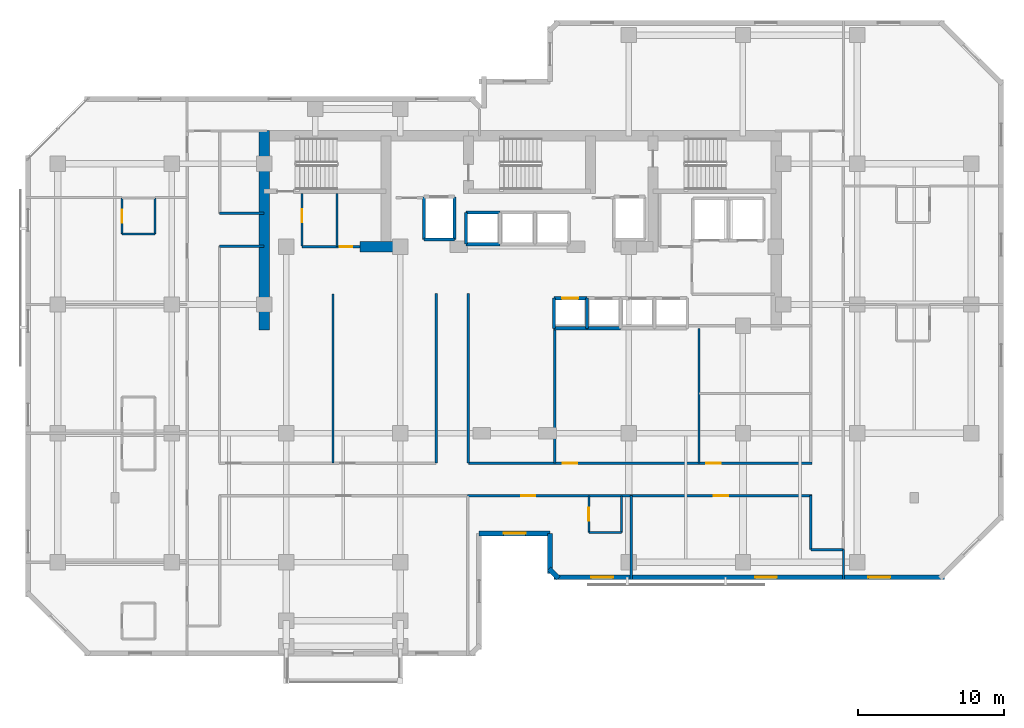
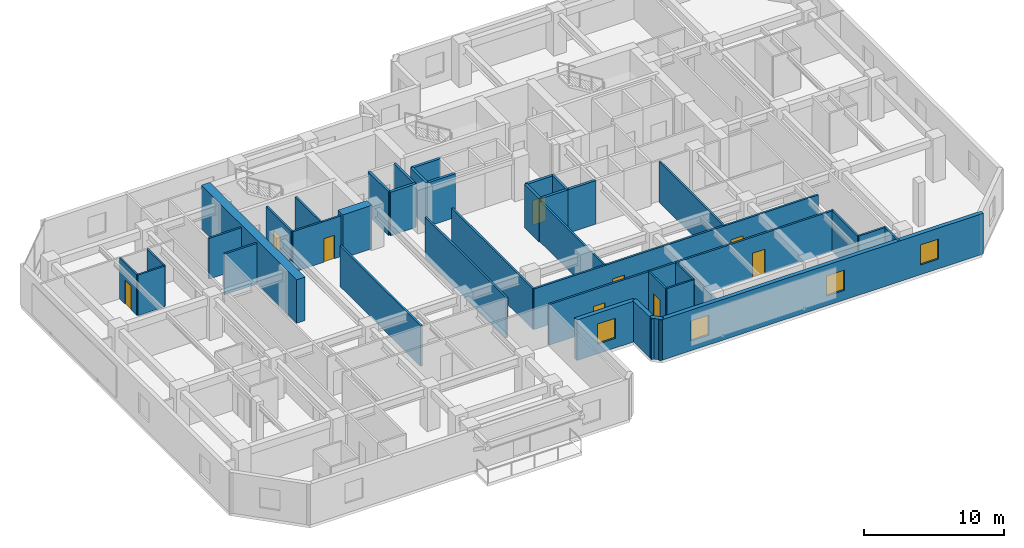
# One storey, part 6 of 11: 39 walls, 9 doors, 4 windows, 13 openings.
"""IFC4 building model written with IfcOpenShell, lengths in metres."""

from ifc_helpers import new_model, si_unit, direction, frame, frame_2d, origin, place, context, subcontext, project, spatial, rectangle, extrude, material, layer, layer_set, type_object, element, fill, save


model = new_model("IFC4")

# Units and contexts
model_context = context("Model", 3, precision=1e-05, world=origin(), true_north=direction((0.0, 1.0)))
body_context = subcontext(model_context, "Body", "Model", "MODEL_VIEW")
ifc_project = project(units=[si_unit("LENGTHUNIT", "METRE"), si_unit("AREAUNIT", "SQUARE_METRE"), si_unit("VOLUMEUNIT", "CUBIC_METRE"), si_unit("PLANEANGLEUNIT", "RADIAN"), si_unit("MASSUNIT", "GRAM", prefix="KILO")], contexts=[model_context])

# Site, building, storey
site_placement = place(None, origin())
site = spatial("IfcSite", under=ifc_project, at=site_placement, CompositionType="ELEMENT")
building_placement = place(site_placement, origin())
building = spatial("IfcBuilding", under=site, at=building_placement, Name="Kestravale Grand Hotel", CompositionType="ELEMENT")
storey_placement = place(building_placement, frame((0.0, 0.0, 165.0)))
storey = spatial("IfcBuildingStorey", under=building, at=storey_placement, Name="L41", CompositionType="ELEMENT", Elevation=165.0)

# Walls
ifc_material_1 = material(Name="Concrete f'c 60 MPa", Category="concrete")
ifc_layer_1 = layer(ifc_material_1, 0.699951171875)
ifc_layer_set_1 = layer_set([ifc_layer_1], Name="EW-CORE-700")
wall_type_1 = type_object("IfcWallType", Name="EW-CORE-700", PredefinedType="SHEAR", material=ifc_layer_set_1)
wall_1_placement = place(storey_placement, frame((21.89990234375, 27.050048828125, 0.0), z_axis=(0.0, 0.0, 1.0), x_axis=(0.0, 1.0, 0.0)))
element("IfcWall", 1, at=wall_1_placement, inside=storey, type_object=wall_type_1, Name="L41 core shear wall W1", PredefinedType="SHEAR", context=body_context, shape_type="SweptSolid", body=[
    extrude(rectangle(XDim=13.619873046875, YDim=0.699951171875, at=frame_2d((6.81005859375, 0.0))), origin(), (0.0, 0.0, 1.0), 3.800048828125),
])
wall_2_placement = place(storey_placement, frame((28.449951171875, 32.75, 0.0), z_axis=(0.0, 0.0, 1.0), x_axis=(1.0, 0.0, 0.0)))
element("IfcWall", 2, at=wall_2_placement, inside=storey, type_object=wall_type_1, Name="L41 core shear wall S1", PredefinedType="SHEAR", context=body_context, shape_type="SweptSolid", body=[
    extrude(rectangle(XDim=2.400146484375, YDim=0.699951171875, at=frame_2d((1.2001953125, 0.0))), origin(), (0.0, 0.0, 1.0), 3.800048828125),
])

# Wall, opening, window
ifc_material_2 = material(Name="Precast concrete f'c 45 MPa", Category="concrete")
ifc_layer_2 = layer(ifc_material_2, 0.340087890625)
ifc_layer_set_2 = layer_set([ifc_layer_2], Name="EW-PREC-340")
wall_type_2 = type_object("IfcWallType", Name="EW-PREC-340", PredefinedType="SOLIDWALL", material=ifc_layer_set_2)
wall_3_placement = place(storey_placement, frame((36.580078125, 13.169921875, 0.0), z_axis=(0.0, 0.0, 1.0), x_axis=(1.0, 0.0, 0.0)))
wall_3 = element("IfcWall", 3, at=wall_3_placement, inside=storey, type_object=wall_type_2, Name="L41 fluted precast facade wall 4", PredefinedType="SOLIDWALL", context=body_context, shape_type="SweptSolid", body=[
    extrude(rectangle(XDim=4.83984375, YDim=0.340087890625, at=frame_2d((2.419921875, 0.0))), origin(), (0.0, 0.0, 1.0), 3.550048828125),
])
opening_1_placement = place(wall_3_placement, frame((1.669921875, 0.0, 0.85009765625)))
opening_1 = element("IfcOpeningElement", 4, at=opening_1_placement, cuts=wall_3, Name="Opening W-GUEST-1500", PredefinedType="OPENING", context=body_context, shape_type="SweptSolid", body=[
    extrude(rectangle(XDim=1.5, YDim=1.75, at=frame_2d((0.75, 0.875))), frame((0.0, 0.179931640625, 0.0), z_axis=(0.0, -1.0, 0.0), x_axis=(1.0, 0.0, 0.0)), (0.0, 0.0, 1.0), 0.360107421875),
])
ifc_material_3 = material(Name="Insulated low-E double glazing in aluminium frame", Category="aluminium")
window_type = type_object("IfcWindowType", Name="W-GUEST-1500", PartitioningType="SINGLE_PANEL", PredefinedType="WINDOW", material=ifc_material_3)
window_1_placement = place(opening_1_placement, origin())
window_1 = element("IfcWindow", 5, at=window_1_placement, inside=storey, type_object=window_type, Name="L41 exterior window 4.1", OverallHeight=1.75, OverallWidth=1.5, PartitioningType="SINGLE_PANEL", PredefinedType="WINDOW", context=body_context, shape_type="SweptSolid", body=[
    extrude(rectangle(XDim=1.5, YDim=1.75, at=frame_2d((0.75, 0.875))), frame((0.0, 0.030029296875, 0.0), z_axis=(0.0, -1.0, 0.0), x_axis=(1.0, 0.0, 0.0)), (0.0, 0.0, 1.0), 0.06005859375),
])
fill(opening_1, window_1)

# Walls
wall_4_placement = place(storey_placement, frame((41.419921875, 13.169921875, 0.0), z_axis=(0.0, 0.0, 1.0), x_axis=(0.0, -1.0, 0.0)))
element("IfcWall", 6, at=wall_4_placement, inside=storey, type_object=wall_type_2, Name="L41 fluted precast facade wall 5", PredefinedType="SOLIDWALL", context=body_context, shape_type="SweptSolid", body=[
    extrude(rectangle(XDim=2.739990234375, YDim=0.340087890625, at=frame_2d((1.3701171875, 0.0))), origin(), (0.0, 0.0, 1.0), 3.550048828125),
])
wall_5_placement = place(storey_placement, frame((41.341796875, 10.74853515625, 0.0), z_axis=(0.0, 0.0, 1.0), x_axis=(0.707106781187, -0.707106781187, 0.0)))
element("IfcWall", 7, at=wall_5_placement, inside=storey, type_object=wall_type_2, Name="L41 fluted precast facade wall 6", PredefinedType="SOLIDWALL", context=body_context, shape_type="SweptSolid", body=[
    extrude(rectangle(XDim=0.9287109375, YDim=0.340087890625, at=frame_2d((0.46435546875, 0.0))), origin(), (0.0, 0.0, 1.0), 3.550048828125),
])

# Wall, openings, windows
wall_6_placement = place(storey_placement, frame((41.679931640625, 10.169921875, 0.0), z_axis=(0.0, 0.0, 1.0), x_axis=(1.0, 0.0, 0.0)))
wall_6 = element("IfcWall", 8, at=wall_6_placement, inside=storey, type_object=wall_type_2, Name="L41 fluted precast facade wall 7", PredefinedType="SOLIDWALL", context=body_context, shape_type="SweptSolid", body=[
    extrude(rectangle(XDim=26.690185546875, YDim=0.340087890625, at=frame_2d((13.34521484375, 0.0))), origin(), (0.0, 0.0, 1.0), 3.550048828125),
])
opening_2_placement = place(wall_6_placement, frame((2.54833984375, 0.0, 0.85009765625)))
opening_2 = element("IfcOpeningElement", 9, at=opening_2_placement, cuts=wall_6, Name="Opening W-GUEST-1500", PredefinedType="OPENING", context=body_context, shape_type="SweptSolid", body=[
    extrude(rectangle(XDim=1.5, YDim=1.75, at=frame_2d((0.75, 0.875))), frame((0.0, 0.179931640625, 0.0), z_axis=(0.0, -1.0, 0.0), x_axis=(1.0, 0.0, 0.0)), (0.0, 0.0, 1.0), 0.360107421875),
])
opening_3_placement = place(wall_6_placement, frame((13.7451171875, 0.0, 0.85009765625)))
opening_3 = element("IfcOpeningElement", 10, at=opening_3_placement, cuts=wall_6, Name="Opening W-GUEST-1500", PredefinedType="OPENING", context=body_context, shape_type="SweptSolid", body=[
    extrude(rectangle(XDim=1.5, YDim=1.75, at=frame_2d((0.75, 0.875))), frame((0.0, 0.179931640625, 0.0), z_axis=(0.0, -1.0, 0.0), x_axis=(1.0, 0.0, 0.0)), (0.0, 0.0, 1.0), 0.360107421875),
])
opening_4_placement = place(wall_6_placement, frame((21.49169921875, 0.0, 0.85009765625)))
opening_4 = element("IfcOpeningElement", 11, at=opening_4_placement, cuts=wall_6, Name="Opening W-GUEST-1500", PredefinedType="OPENING", context=body_context, shape_type="SweptSolid", body=[
    extrude(rectangle(XDim=1.5, YDim=1.75, at=frame_2d((0.75, 0.875))), frame((0.0, 0.179931640625, 0.0), z_axis=(0.0, -1.0, 0.0), x_axis=(1.0, 0.0, 0.0)), (0.0, 0.0, 1.0), 0.360107421875),
])
window_2_placement = place(opening_2_placement, origin())
window_2 = element("IfcWindow", 12, at=window_2_placement, inside=storey, type_object=window_type, Name="L41 exterior window 7.1", OverallHeight=1.75, OverallWidth=1.5, PartitioningType="SINGLE_PANEL", PredefinedType="WINDOW", context=body_context, shape_type="SweptSolid", body=[
    extrude(rectangle(XDim=1.5, YDim=1.75, at=frame_2d((0.75, 0.875))), frame((0.0, 0.030029296875, 0.0), z_axis=(0.0, -1.0, 0.0), x_axis=(1.0, 0.0, 0.0)), (0.0, 0.0, 1.0), 0.06005859375),
])
fill(opening_2, window_2)
window_3_placement = place(opening_3_placement, origin())
window_3 = element("IfcWindow", 13, at=window_3_placement, inside=storey, type_object=window_type, Name="L41 exterior window 7.2", OverallHeight=1.75, OverallWidth=1.5, PartitioningType="SINGLE_PANEL", PredefinedType="WINDOW", context=body_context, shape_type="SweptSolid", body=[
    extrude(rectangle(XDim=1.5, YDim=1.75, at=frame_2d((0.75, 0.875))), frame((0.0, 0.030029296875, 0.0), z_axis=(0.0, -1.0, 0.0), x_axis=(1.0, 0.0, 0.0)), (0.0, 0.0, 1.0), 0.06005859375),
])
fill(opening_3, window_3)
window_4_placement = place(opening_4_placement, origin())
window_4 = element("IfcWindow", 14, at=window_4_placement, inside=storey, type_object=window_type, Name="L41 exterior window 7.3", OverallHeight=1.75, OverallWidth=1.5, PartitioningType="SINGLE_PANEL", PredefinedType="WINDOW", context=body_context, shape_type="SweptSolid", body=[
    extrude(rectangle(XDim=1.5, YDim=1.75, at=frame_2d((0.75, 0.875))), frame((0.0, 0.030029296875, 0.0), z_axis=(0.0, -1.0, 0.0), x_axis=(1.0, 0.0, 0.0)), (0.0, 0.0, 1.0), 0.06005859375),
])
fill(opening_4, window_4)

# Wall, opening, door
ifc_material_4 = material(Name="Acoustic fire-rated gypsum board partition", Category="other")
ifc_layer_3 = layer(ifc_material_4, 0.159912109375)
ifc_layer_set_3 = layer_set([ifc_layer_3], Name="IW-CORR-160")
wall_type_3 = type_object("IfcWallType", Name="IW-CORR-160", PredefinedType="PARTITIONING", material=ifc_layer_set_3)
wall_7_placement = place(storey_placement, frame((24.47998046875, 32.800048828125, 0.0), z_axis=(0.0, 0.0, 1.0), x_axis=(0.0, 1.0, 0.0)))
wall_7 = element("IfcWall", 15, at=wall_7_placement, inside=storey, type_object=wall_type_3, Name="L41 west core vestibule wall", PredefinedType="PARTITIONING", context=body_context, shape_type="SweptSolid", body=[
    extrude(rectangle(XDim=3.570068359375, YDim=0.159912109375, at=frame_2d((1.78515625, 0.0))), origin(), (0.0, 0.0, 1.0), 3.550048828125),
])
opening_5_placement = place(wall_7_placement, frame((1.603515625, 0.0, 0.0)))
opening_5 = element("IfcOpeningElement", 16, at=opening_5_placement, cuts=wall_7, Name="Opening D-SH-900", PredefinedType="OPENING", context=body_context, shape_type="SweptSolid", body=[
    extrude(rectangle(XDim=0.89990234375, YDim=2.10009765625, at=frame_2d((0.449951171875, 1.050048828125))), frame((0.0, 0.08984375, 0.0), z_axis=(0.0, -1.0, 0.0), x_axis=(1.0, 0.0, 0.0)), (0.0, 0.0, 1.0), 0.179931640625),
])
ifc_material_5 = material(Name="Galvanised 90-minute shaft and service fire door", Category="steel")
door_type_1 = type_object("IfcDoorType", Name="D-SH-900", OperationType="NOTDEFINED", PredefinedType="DOOR", material=ifc_material_5)
door_1_placement = place(opening_5_placement, origin())
door_1 = element("IfcDoor", 17, at=door_1_placement, inside=storey, type_object=door_type_1, Name="D-L41-HK", OperationType="SINGLE_SWING_RIGHT", OverallHeight=2.10009765625, OverallWidth=0.89990234375, PredefinedType="DOOR", context=body_context, shape_type="SweptSolid", body=[
    extrude(rectangle(XDim=0.89990234375, YDim=2.10009765625, at=frame_2d((0.449951171875, 1.050048828125))), frame((0.0, 0.02490234375, 0.0), z_axis=(0.0, -1.0, 0.0), x_axis=(1.0, 0.0, 0.0)), (0.0, 0.0, 1.0), 0.050048828125),
])
fill(opening_5, door_1)

wall_8_placement = place(storey_placement, frame((24.47998046875, 32.75, 0.0), z_axis=(0.0, 0.0, 1.0), x_axis=(1.0, 0.0, 0.0)))
wall_8 = element("IfcWall", 18, at=wall_8_placement, inside=storey, type_object=wall_type_3, Name="W-L41-CWS", PredefinedType="PARTITIONING", context=body_context, shape_type="SweptSolid", body=[
    extrude(rectangle(XDim=3.969970703125, YDim=0.159912109375, at=frame_2d((1.98486328125, 0.0))), origin(), (0.0, 0.0, 1.0), 3.550048828125),
])
opening_6_placement = place(wall_8_placement, frame((2.5849609375, 0.0, 0.0)))
opening_6 = element("IfcOpeningElement", 19, at=opening_6_placement, cuts=wall_8, Name="Opening D-SH-860", PredefinedType="OPENING", context=body_context, shape_type="SweptSolid", body=[
    extrude(rectangle(XDim=0.860107421875, YDim=2.050048828125, at=frame_2d((0.43017578125, 1.02490234375))), frame((0.0, 0.08984375, 0.0), z_axis=(0.0, -1.0, 0.0), x_axis=(1.0, 0.0, 0.0)), (0.0, 0.0, 1.0), 0.179931640625),
])
ifc_material_6 = material(Name="Galvanised 90-minute riser fire door", Category="steel")
door_type_2 = type_object("IfcDoorType", Name="D-SH-860", OperationType="NOTDEFINED", PredefinedType="DOOR", material=ifc_material_6)
door_2_placement = place(opening_6_placement, origin())
door_2 = element("IfcDoor", 20, at=door_2_placement, inside=storey, type_object=door_type_2, Name="D-L41-ELEC", OperationType="SINGLE_SWING_RIGHT", OverallHeight=2.050048828125, OverallWidth=0.860107421875, PredefinedType="DOOR", context=body_context, shape_type="SweptSolid", body=[
    extrude(rectangle(XDim=0.860107421875, YDim=2.050048828125, at=frame_2d((0.43017578125, 1.02490234375))), frame((0.0, 0.02490234375, 0.0), z_axis=(0.0, -1.0, 0.0), x_axis=(1.0, 0.0, 0.0)), (0.0, 0.0, 1.0), 0.050048828125),
])
fill(opening_6, door_2)

# Wall, openings, doors
wall_9_placement = place(storey_placement, frame((35.85009765625, 17.9599609375, 0.0), z_axis=(0.0, 0.0, 1.0), x_axis=(1.0, 0.0, 0.0)))
wall_9 = element("IfcWall", 21, at=wall_9_placement, inside=storey, type_object=wall_type_3, Name="W-L41-CE-N", PredefinedType="PARTITIONING", context=body_context, shape_type="SweptSolid", body=[
    extrude(rectangle(XDim=23.449951171875, YDim=0.159912109375, at=frame_2d((11.72509765625, 0.0))), origin(), (0.0, 0.0, 1.0), 3.550048828125),
])
opening_7_placement = place(wall_9_placement, frame((6.449951171875, 0.0, 0.0)))
opening_7 = element("IfcOpeningElement", 22, at=opening_7_placement, cuts=wall_9, Name="Opening D-GUEST-1000", PredefinedType="OPENING", context=body_context, shape_type="SweptSolid", body=[
    extrude(rectangle(XDim=1.0, YDim=2.14990234375, at=frame_2d((0.5, 1.074951171875))), frame((0.0, 0.08984375, 0.0), z_axis=(0.0, -1.0, 0.0), x_axis=(1.0, 0.0, 0.0)), (0.0, 0.0, 1.0), 0.179931640625),
])
opening_8_placement = place(wall_9_placement, frame((16.25, 0.0, 0.0)))
opening_8 = element("IfcOpeningElement", 23, at=opening_8_placement, cuts=wall_9, Name="Opening D-GUEST-1000", PredefinedType="OPENING", context=body_context, shape_type="SweptSolid", body=[
    extrude(rectangle(XDim=1.0, YDim=2.14990234375, at=frame_2d((0.5, 1.074951171875))), frame((0.0, 0.08984375, 0.0), z_axis=(0.0, -1.0, 0.0), x_axis=(1.0, 0.0, 0.0)), (0.0, 0.0, 1.0), 0.179931640625),
])
ifc_material_7 = material(Name="Accessible walnut veneer hotel entrance fire door", Category="wood")
door_type_3 = type_object("IfcDoorType", Name="D-GUEST-1000", OperationType="NOTDEFINED", PredefinedType="DOOR", material=ifc_material_7)
door_3_placement = place(opening_7_placement, origin())
door_3 = element("IfcDoor", 24, at=door_3_placement, inside=storey, type_object=door_type_3, Name="D-L41-RECL-E1", OperationType="SINGLE_SWING_LEFT", OverallHeight=2.14990234375, OverallWidth=1.0, PredefinedType="DOOR", context=body_context, shape_type="SweptSolid", body=[
    extrude(rectangle(XDim=1.0, YDim=2.14990234375, at=frame_2d((0.5, 1.074951171875))), frame((0.0, 0.02490234375, 0.0), z_axis=(0.0, -1.0, 0.0), x_axis=(1.0, 0.0, 0.0)), (0.0, 0.0, 1.0), 0.050048828125),
])
fill(opening_7, door_3)
door_4_placement = place(opening_8_placement, origin())
door_4 = element("IfcDoor", 25, at=door_4_placement, inside=storey, type_object=door_type_3, Name="D-L41-RECL-E2", OperationType="SINGLE_SWING_RIGHT", OverallHeight=2.14990234375, OverallWidth=1.0, PredefinedType="DOOR", context=body_context, shape_type="SweptSolid", body=[
    extrude(rectangle(XDim=1.0, YDim=2.14990234375, at=frame_2d((0.5, 1.074951171875))), frame((0.0, 0.02490234375, 0.0), z_axis=(0.0, -1.0, 0.0), x_axis=(1.0, 0.0, 0.0)), (0.0, 0.0, 1.0), 0.050048828125),
])
fill(opening_8, door_4)

# Walls
for number, where, z_axis, x_axis, name in (
    (26, (33.64990234375, 17.9599609375, 0.0), (0.0, 0.0, 1.0), (0.0, 1.0, 0.0), "W-L41-TRUNK-W"),
    (27, (35.85009765625, 17.9599609375, 0.0), (0.0, 0.0, 1.0), (0.0, 1.0, 0.0), "W-L41-TRUNK-E"),
):
    element("IfcWall", number, at=place(storey_placement, frame(where, z_axis=z_axis, x_axis=x_axis)), inside=storey, type_object=wall_type_3, Name=name, PredefinedType="PARTITIONING", context=body_context, shape_type="SweptSolid", body=[
        extrude(rectangle(XDim=11.590087890625, YDim=0.159912109375, at=frame_2d((5.794921875, 0.0))), origin(), (0.0, 0.0, 1.0), 3.550048828125),
    ])

# Wall, openings, doors
wall_10_placement = place(storey_placement, frame((35.800048828125, 15.739990234375, 0.0), z_axis=(0.0, 0.0, 1.0), x_axis=(1.0, 0.0, 0.0)))
wall_10 = element("IfcWall", 28, at=wall_10_placement, inside=storey, type_object=wall_type_3, Name="W-L41-CE-S", PredefinedType="PARTITIONING", context=body_context, shape_type="SweptSolid", body=[
    extrude(rectangle(XDim=23.5, YDim=0.159912109375, at=frame_2d((11.75, 0.0))), origin(), (0.0, 0.0, 1.0), 3.550048828125),
])
opening_9_placement = place(wall_10_placement, frame((3.659912109375, 0.0, 0.0)))
opening_9 = element("IfcOpeningElement", 29, at=opening_9_placement, cuts=wall_10, Name="Opening D-GUEST-950", PredefinedType="OPENING", context=body_context, shape_type="SweptSolid", body=[
    extrude(rectangle(XDim=0.949951171875, YDim=2.10009765625, at=frame_2d((0.47509765625, 1.050048828125))), frame((0.0, 0.08984375, 0.0), z_axis=(0.0, -1.0, 0.0), x_axis=(1.0, 0.0, 0.0)), (0.0, 0.0, 1.0), 0.179931640625),
])
opening_10_placement = place(wall_10_placement, frame((16.804931640625, 0.0, 0.0)))
opening_10 = element("IfcOpeningElement", 30, at=opening_10_placement, cuts=wall_10, Name="Opening D-GUEST-1000", PredefinedType="OPENING", context=body_context, shape_type="SweptSolid", body=[
    extrude(rectangle(XDim=1.0, YDim=2.14990234375, at=frame_2d((0.5, 1.074951171875))), frame((0.0, 0.08984375, 0.0), z_axis=(0.0, -1.0, 0.0), x_axis=(1.0, 0.0, 0.0)), (0.0, 0.0, 1.0), 0.179931640625),
])
door_5_placement = place(opening_10_placement, origin())
door_5 = element("IfcDoor", 31, at=door_5_placement, inside=storey, type_object=door_type_3, Name="D-L41-AME", OperationType="SINGLE_SWING_RIGHT", OverallHeight=2.14990234375, OverallWidth=1.0, PredefinedType="DOOR", context=body_context, shape_type="SweptSolid", body=[
    extrude(rectangle(XDim=1.0, YDim=2.14990234375, at=frame_2d((0.5, 1.074951171875))), frame((0.0, 0.02490234375, 0.0), z_axis=(0.0, -1.0, 0.0), x_axis=(1.0, 0.0, 0.0)), (0.0, 0.0, 1.0), 0.050048828125),
])
fill(opening_10, door_5)
ifc_material_8 = material(Name="Walnut veneer hotel guestroom entrance fire door", Category="wood")
door_type_4 = type_object("IfcDoorType", Name="D-GUEST-950", OperationType="NOTDEFINED", PredefinedType="DOOR", material=ifc_material_8)
door_6_placement = place(opening_9_placement, origin())
door_6 = element("IfcDoor", 32, at=door_6_placement, inside=storey, type_object=door_type_4, Name="D-L41-U01-ENT", OperationType="SINGLE_SWING_LEFT", OverallHeight=2.10009765625, OverallWidth=0.949951171875, PredefinedType="DOOR", context=body_context, shape_type="SweptSolid", body=[
    extrude(rectangle(XDim=0.949951171875, YDim=2.10009765625, at=frame_2d((0.47509765625, 1.050048828125))), frame((0.0, 0.02490234375, 0.0), z_axis=(0.0, -1.0, 0.0), x_axis=(1.0, 0.0, 0.0)), (0.0, 0.0, 1.0), 0.050048828125),
])
fill(opening_9, door_6)

# Walls
for number, where, z_axis, x_axis, name in (
    (33, (18.860107421875, 35.02001953125, 0.0), (0.0, 0.0, 1.0), (1.0, 0.0, 0.0), "W-L41-SW-CN"),
    (34, (18.860107421875, 32.780029296875, 0.0), (0.0, 0.0, 1.0), (1.0, 0.0, 0.0), "W-L41-SW-CS"),
):
    element("IfcWall", number, at=place(storey_placement, frame(where, z_axis=z_axis, x_axis=x_axis)), inside=storey, type_object=wall_type_3, Name=name, PredefinedType="PARTITIONING", context=body_context, shape_type="SweptSolid", body=[
        extrude(rectangle(XDim=3.039794921875, YDim=0.159912109375, at=frame_2d((1.52001953125, 0.0))), origin(), (0.0, 0.0, 1.0), 3.550048828125),
    ])
wall_11_placement = place(storey_placement, frame((59.239990234375, 12.050048828125, 0.0), z_axis=(0.0, 0.0, 1.0), x_axis=(0.0, 1.0, 0.0)))
element("IfcWall", 35, at=wall_11_placement, inside=storey, type_object=wall_type_3, Name="W-L41-SE-W", PredefinedType="PARTITIONING", context=body_context, shape_type="SweptSolid", body=[
    extrude(rectangle(XDim=3.68994140625, YDim=0.159912109375, at=frame_2d((1.844970703125, 0.0))), origin(), (0.0, 0.0, 1.0), 3.550048828125),
])

# Wall, opening, door
ifc_material_9 = material(Name="Moisture-resistant tile-backer plumbing chase wall", Category="other")
ifc_layer_4 = layer(ifc_material_9, 0.139892578125)
ifc_layer_set_4 = layer_set([ifc_layer_4], Name="IW-PLB-140")
wall_type_4 = type_object("IfcWallType", Name="IW-PLB-140", PredefinedType="PLUMBINGWALL", material=ifc_layer_set_4)
wall_12_placement = place(storey_placement, frame((44.070068359375, 13.22998046875, 0.0), z_axis=(0.0, 0.0, 1.0), x_axis=(0.0, 1.0, 0.0)))
wall_12 = element("IfcWall", 36, at=wall_12_placement, inside=storey, type_object=wall_type_4, Name="W-L41-U01-BW", PredefinedType="PLUMBINGWALL", context=body_context, shape_type="SweptSolid", body=[
    extrude(rectangle(XDim=2.489990234375, YDim=0.139892578125, at=frame_2d((1.2451171875, 0.0))), origin(), (0.0, 0.0, 1.0), 3.550048828125),
])
opening_11_placement = place(wall_12_placement, frame((0.804931640625, 0.0, 0.0)))
opening_11 = element("IfcOpeningElement", 37, at=opening_11_placement, cuts=wall_12, Name="Opening D-BATH-880", PredefinedType="OPENING", context=body_context, shape_type="SweptSolid", body=[
    extrude(rectangle(XDim=0.8798828125, YDim=2.050048828125, at=frame_2d((0.43994140625, 1.02490234375))), frame((0.0, 0.079833984375, 0.0), z_axis=(0.0, -1.0, 0.0), x_axis=(1.0, 0.0, 0.0)), (0.0, 0.0, 1.0), 0.159912109375),
])
ifc_material_10 = material(Name="Moisture-sealed walnut en-suite bathroom door", Category="wood")
door_type_5 = type_object("IfcDoorType", Name="D-BATH-880", OperationType="NOTDEFINED", PredefinedType="DOOR", material=ifc_material_10)
door_7_placement = place(opening_11_placement, origin())
door_7 = element("IfcDoor", 38, at=door_7_placement, inside=storey, type_object=door_type_5, Name="D-L41-U01-BATH", OperationType="SINGLE_SWING_RIGHT", OverallHeight=2.050048828125, OverallWidth=0.8798828125, PredefinedType="DOOR", context=body_context, shape_type="SweptSolid", body=[
    extrude(rectangle(XDim=0.8798828125, YDim=2.050048828125, at=frame_2d((0.43994140625, 1.02490234375))), frame((0.0, 0.02490234375, 0.0), z_axis=(0.0, -1.0, 0.0), x_axis=(1.0, 0.0, 0.0)), (0.0, 0.0, 1.0), 0.050048828125),
])
fill(opening_11, door_7)

# Walls
wall_13_placement = place(storey_placement, frame((46.320068359375, 13.22998046875, 0.0), z_axis=(0.0, 0.0, 1.0), x_axis=(0.0, 1.0, 0.0)))
element("IfcWall", 39, at=wall_13_placement, inside=storey, type_object=wall_type_4, Name="W-L41-U01-BE", PredefinedType="PLUMBINGWALL", context=body_context, shape_type="SweptSolid", body=[
    extrude(rectangle(XDim=2.489990234375, YDim=0.139892578125, at=frame_2d((1.2451171875, 0.0))), origin(), (0.0, 0.0, 1.0), 3.550048828125),
])
wall_14_placement = place(storey_placement, frame((44.070068359375, 13.22998046875, 0.0), z_axis=(0.0, 0.0, 1.0), x_axis=(1.0, 0.0, 0.0)))
element("IfcWall", 40, at=wall_14_placement, inside=storey, type_object=wall_type_4, Name="W-L41-U01-BS", PredefinedType="PLUMBINGWALL", context=body_context, shape_type="SweptSolid", body=[
    extrude(rectangle(XDim=2.25, YDim=0.139892578125, at=frame_2d((1.125, 0.0))), origin(), (0.0, 0.0, 1.0), 3.550048828125),
])

# Wall, opening, door
wall_15_placement = place(storey_placement, frame((12.199951171875, 33.610107421875, 0.0), z_axis=(0.0, 0.0, 1.0), x_axis=(0.0, 1.0, 0.0)))
wall_15 = element("IfcWall", 41, at=wall_15_placement, inside=storey, type_object=wall_type_4, Name="W-L41-U05-BW", PredefinedType="PLUMBINGWALL", context=body_context, shape_type="SweptSolid", body=[
    extrude(rectangle(XDim=2.449951171875, YDim=0.139892578125, at=frame_2d((1.22509765625, 0.0))), origin(), (0.0, 0.0, 1.0), 3.550048828125),
])
opening_12_placement = place(wall_15_placement, frame((0.784912109375, 0.0, 0.0)))
opening_12 = element("IfcOpeningElement", 42, at=opening_12_placement, cuts=wall_15, Name="Opening D-BATH-880", PredefinedType="OPENING", context=body_context, shape_type="SweptSolid", body=[
    extrude(rectangle(XDim=0.8798828125, YDim=2.050048828125, at=frame_2d((0.43994140625, 1.02490234375))), frame((0.0, 0.079833984375, 0.0), z_axis=(0.0, -1.0, 0.0), x_axis=(1.0, 0.0, 0.0)), (0.0, 0.0, 1.0), 0.159912109375),
])
door_8_placement = place(opening_12_placement, origin())
door_8 = element("IfcDoor", 43, at=door_8_placement, inside=storey, type_object=door_type_5, Name="D-L41-U05-BATH", OperationType="SINGLE_SWING_LEFT", OverallHeight=2.050048828125, OverallWidth=0.8798828125, PredefinedType="DOOR", context=body_context, shape_type="SweptSolid", body=[
    extrude(rectangle(XDim=0.8798828125, YDim=2.050048828125, at=frame_2d((0.43994140625, 1.02490234375))), frame((0.0, 0.02490234375, 0.0), z_axis=(0.0, -1.0, 0.0), x_axis=(1.0, 0.0, 0.0)), (0.0, 0.0, 1.0), 0.050048828125),
])
fill(opening_12, door_8)

# Walls
wall_16_placement = place(storey_placement, frame((14.449951171875, 33.610107421875, 0.0), z_axis=(0.0, 0.0, 1.0), x_axis=(0.0, 1.0, 0.0)))
element("IfcWall", 44, at=wall_16_placement, inside=storey, type_object=wall_type_4, Name="W-L41-U05-BE", PredefinedType="PLUMBINGWALL", context=body_context, shape_type="SweptSolid", body=[
    extrude(rectangle(XDim=2.449951171875, YDim=0.139892578125, at=frame_2d((1.22509765625, 0.0))), origin(), (0.0, 0.0, 1.0), 3.550048828125),
])
wall_17_placement = place(storey_placement, frame((12.199951171875, 33.610107421875, 0.0), z_axis=(0.0, 0.0, 1.0), x_axis=(1.0, 0.0, 0.0)))
element("IfcWall", 45, at=wall_17_placement, inside=storey, type_object=wall_type_4, Name="W-L41-U05-BS", PredefinedType="PLUMBINGWALL", context=body_context, shape_type="SweptSolid", body=[
    extrude(rectangle(XDim=2.25, YDim=0.139892578125, at=frame_2d((1.125, 0.0))), origin(), (0.0, 0.0, 1.0), 3.550048828125),
])
ifc_material_11 = material(Name="Concrete f'c 45 MPa", Category="concrete")
ifc_layer_5 = layer(ifc_material_11, 0.199951171875)
ifc_layer_set_5 = layer_set([ifc_layer_5], Name="IW-SHAFT-200")
wall_type_5 = type_object("IfcWallType", Name="IW-SHAFT-200", PredefinedType="SHEAR", material=ifc_layer_set_5)
for number, where, z_axis, x_axis, name in (
    (46, (41.705078125, 27.169921875, 0.0), (0.0, 0.0, 1.0), (0.0, 1.0, 0.0), "L41 PL-M1 west shaft wall"),
    (47, (43.949951171875, 27.169921875, 0.0), (0.0, 0.0, 1.0), (0.0, 1.0, 0.0), "L41 PL-M2 west shaft wall"),
):
    element("IfcWall", number, at=place(storey_placement, frame(where, z_axis=z_axis, x_axis=x_axis)), inside=storey, type_object=wall_type_5, Name=name, PredefinedType="SHEAR", context=body_context, shape_type="SweptSolid", body=[
        extrude(rectangle(XDim=2.06005859375, YDim=0.199951171875, at=frame_2d((1.030029296875, 0.0))), origin(), (0.0, 0.0, 1.0), 3.800048828125),
    ])
wall_18_placement = place(storey_placement, frame((35.679931640625, 32.919921875, 0.0), z_axis=(0.0, 0.0, 1.0), x_axis=(0.0, 1.0, 0.0)))
element("IfcWall", 48, at=wall_18_placement, inside=storey, type_object=wall_type_5, Name="L41 PL-X1 west shaft wall", PredefinedType="SHEAR", context=body_context, shape_type="SweptSolid", body=[
    extrude(rectangle(XDim=2.16015625, YDim=0.199951171875, at=frame_2d((1.080078125, 0.0))), origin(), (0.0, 0.0, 1.0), 3.800048828125),
])
for number, where, z_axis, x_axis, name in (
    (49, (32.804931640625, 33.2451171875, 0.0), (0.0, 0.0, 1.0), (0.0, 1.0, 0.0), "L41 FL-1 west shaft wall"),
    (50, (34.89501953125, 33.2451171875, 0.0), (0.0, 0.0, 1.0), (0.0, 1.0, 0.0), "L41 FL-1 east shaft wall"),
):
    element("IfcWall", number, at=place(storey_placement, frame(where, z_axis=z_axis, x_axis=x_axis)), inside=storey, type_object=wall_type_5, Name=name, PredefinedType="SHEAR", context=body_context, shape_type="SweptSolid", body=[
        extrude(rectangle(XDim=2.909912109375, YDim=0.199951171875, at=frame_2d((1.455078125, 0.0))), origin(), (0.0, 0.0, 1.0), 3.800048828125),
    ])

# Wall, opening, door
ifc_material_12 = material(Name="Concrete f'c 45 MPa", Category="concrete")
ifc_layer_6 = layer(ifc_material_12, 0.219970703125)
ifc_layer_set_6 = layer_set([ifc_layer_6], Name="IW-SHAFT-220")
wall_type_6 = type_object("IfcWallType", Name="IW-SHAFT-220", PredefinedType="SHEAR", material=ifc_layer_set_6)
wall_19_placement = place(storey_placement, frame((41.705078125, 29.22998046875, 0.0), z_axis=(0.0, 0.0, 1.0), x_axis=(1.0, 0.0, 0.0)))
wall_19 = element("IfcWall", 51, at=wall_19_placement, inside=storey, type_object=wall_type_6, Name="L41 PL-M1 north shaft wall", PredefinedType="SHEAR", context=body_context, shape_type="SweptSolid", body=[
    extrude(rectangle(XDim=2.244873046875, YDim=0.219970703125, at=frame_2d((1.12255859375, 0.0))), origin(), (0.0, 0.0, 1.0), 3.800048828125),
])
opening_13_placement = place(wall_19_placement, frame((0.544921875, 0.0, 0.0)))
opening_13 = element("IfcOpeningElement", 52, at=opening_13_placement, cuts=wall_19, Name="Opening LD-PAX-1100", PredefinedType="OPENING", context=body_context, shape_type="SweptSolid", body=[
    extrude(rectangle(XDim=1.10009765625, YDim=2.14990234375, at=frame_2d((0.550048828125, 1.074951171875))), frame((0.0, 0.119873046875, 0.0), z_axis=(0.0, -1.0, 0.0), x_axis=(1.0, 0.0, 0.0)), (0.0, 0.0, 1.0), 0.239990234375),
])
ifc_material_13 = material(Name="Champagne-bronze center-opening sliding elevator landing door", Category="steel")
door_type_6 = type_object("IfcDoorType", Name="LD-PAX-1100", OperationType="NOTDEFINED", PredefinedType="DOOR", material=ifc_material_13)
door_9_placement = place(opening_13_placement, origin())
door_9 = element("IfcDoor", 53, at=door_9_placement, inside=storey, type_object=door_type_6, Name="L41 PL-M1 elevator landing sliding door", OperationType="DOUBLE_DOOR_SLIDING", OverallHeight=2.14990234375, OverallWidth=1.10009765625, PredefinedType="DOOR", context=body_context, shape_type="SweptSolid", body=[
    extrude(rectangle(XDim=1.10009765625, YDim=2.14990234375, at=frame_2d((0.550048828125, 1.074951171875))), frame((0.0, 0.02490234375, 0.0), z_axis=(0.0, -1.0, 0.0), x_axis=(1.0, 0.0, 0.0)), (0.0, 0.0, 1.0), 0.050048828125),
])
fill(opening_13, door_9)

# Walls
wall_20_placement = place(storey_placement, frame((41.705078125, 27.169921875, 0.0), z_axis=(0.0, 0.0, 1.0), x_axis=(1.0, 0.0, 0.0)))
element("IfcWall", 54, at=wall_20_placement, inside=storey, type_object=wall_type_6, Name="L41 PL-M1 south shaft wall", PredefinedType="SHEAR", context=body_context, shape_type="SweptSolid", body=[
    extrude(rectangle(XDim=2.244873046875, YDim=0.219970703125, at=frame_2d((1.12255859375, 0.0))), origin(), (0.0, 0.0, 1.0), 3.800048828125),
])
wall_21_placement = place(storey_placement, frame((43.949951171875, 27.169921875, 0.0), z_axis=(0.0, 0.0, 1.0), x_axis=(1.0, 0.0, 0.0)))
element("IfcWall", 55, at=wall_21_placement, inside=storey, type_object=wall_type_6, Name="L41 PL-M2 south shaft wall", PredefinedType="SHEAR", context=body_context, shape_type="SweptSolid", body=[
    extrude(rectangle(XDim=2.300048828125, YDim=0.219970703125, at=frame_2d((1.14990234375, 0.0))), origin(), (0.0, 0.0, 1.0), 3.800048828125),
])
for number, where, z_axis, x_axis, name in (
    (56, (35.679931640625, 35.080078125, 0.0), (0.0, 0.0, 1.0), (1.0, 0.0, 0.0), "L41 PL-X1 north shaft wall"),
    (57, (35.679931640625, 32.919921875, 0.0), (0.0, 0.0, 1.0), (1.0, 0.0, 0.0), "L41 PL-X1 south shaft wall"),
):
    element("IfcWall", number, at=place(storey_placement, frame(where, z_axis=z_axis, x_axis=x_axis)), inside=storey, type_object=wall_type_6, Name=name, PredefinedType="SHEAR", context=body_context, shape_type="SweptSolid", body=[
        extrude(rectangle(XDim=2.320068359375, YDim=0.219970703125, at=frame_2d((1.16015625, 0.0))), origin(), (0.0, 0.0, 1.0), 3.800048828125),
    ])
wall_22_placement = place(storey_placement, frame((32.804931640625, 33.2451171875, 0.0), z_axis=(0.0, 0.0, 1.0), x_axis=(1.0, 0.0, 0.0)))
element("IfcWall", 58, at=wall_22_placement, inside=storey, type_object=wall_type_6, Name="L41 FL-1 south shaft wall", PredefinedType="SHEAR", context=body_context, shape_type="SweptSolid", body=[
    extrude(rectangle(XDim=2.090087890625, YDim=0.219970703125, at=frame_2d((1.044921875, 0.0))), origin(), (0.0, 0.0, 1.0), 3.800048828125),
])
ifc_material_14 = material(Name="Double-stud STC 52 acoustic demising partition", Category="other")
ifc_layer_7 = layer(ifc_material_14, 0.14990234375)
ifc_layer_set_7 = layer_set([ifc_layer_7], Name="IW-UNIT-150")
wall_type_7 = type_object("IfcWallType", Name="IW-UNIT-150", PredefinedType="PARTITIONING", material=ifc_layer_set_7)
wall_23_placement = place(storey_placement, frame((26.8798828125, 32.75, 0.0), z_axis=(0.0, 0.0, 1.0), x_axis=(0.0, 1.0, 0.0)))
element("IfcWall", 59, at=wall_23_placement, inside=storey, type_object=wall_type_7, Name="W-L41-CC0-1", PredefinedType="PARTITIONING", context=body_context, shape_type="SweptSolid", body=[
    extrude(rectangle(XDim=3.6201171875, YDim=0.14990234375, at=frame_2d((1.81005859375, 0.0))), origin(), (0.0, 0.0, 1.0), 3.550048828125),
])
wall_24_placement = place(storey_placement, frame((59.239990234375, 12.050048828125, 0.0), z_axis=(0.0, 0.0, 1.0), x_axis=(1.0, 0.0, 0.0)))
element("IfcWall", 60, at=wall_24_placement, inside=storey, type_object=wall_type_7, Name="W-L41-SE-S", PredefinedType="PARTITIONING", context=body_context, shape_type="SweptSolid", body=[
    extrude(rectangle(XDim=2.219970703125, YDim=0.14990234375, at=frame_2d((1.10986328125, 0.0))), origin(), (0.0, 0.0, 1.0), 3.550048828125),
])
wall_25_placement = place(storey_placement, frame((26.60009765625, 17.9599609375, 0.0), z_axis=(0.0, 0.0, 1.0), x_axis=(0.0, 1.0, 0.0)))
element("IfcWall", 61, at=wall_25_placement, inside=storey, type_object=wall_type_7, Name="W-L41-RCLW-M", PredefinedType="PARTITIONING", context=body_context, shape_type="SweptSolid", body=[
    extrude(rectangle(XDim=11.5400390625, YDim=0.14990234375, at=frame_2d((5.77001953125, 0.0))), origin(), (0.0, 0.0, 1.0), 3.550048828125),
])
wall_26_placement = place(storey_placement, frame((41.75, 17.9599609375, 0.0), z_axis=(0.0, 0.0, 1.0), x_axis=(0.0, 1.0, 0.0)))
element("IfcWall", 62, at=wall_26_placement, inside=storey, type_object=wall_type_7, Name="W-L41-RCLE-W", PredefinedType="PARTITIONING", context=body_context, shape_type="SweptSolid", body=[
    extrude(rectangle(XDim=9.2099609375, YDim=0.14990234375, at=frame_2d((4.60498046875, 0.0))), origin(), (0.0, 0.0, 1.0), 3.550048828125),
])
wall_27_placement = place(storey_placement, frame((51.60009765625, 17.9599609375, 0.0), z_axis=(0.0, 0.0, 1.0), x_axis=(0.0, 1.0, 0.0)))
element("IfcWall", 63, at=wall_27_placement, inside=storey, type_object=wall_type_7, Name="W-L41-RCLE-M", PredefinedType="PARTITIONING", context=body_context, shape_type="SweptSolid", body=[
    extrude(rectangle(XDim=9.18994140625, YDim=0.14990234375, at=frame_2d((4.594970703125, 0.0))), origin(), (0.0, 0.0, 1.0), 3.550048828125),
])
wall_28_placement = place(storey_placement, frame((46.969970703125, 10.02001953125, 0.0), z_axis=(0.0, 0.0, 1.0), x_axis=(0.0, 1.0, 0.0)))
element("IfcWall", 64, at=wall_28_placement, inside=storey, type_object=wall_type_7, Name="W-L41-ES-1", PredefinedType="PARTITIONING", context=body_context, shape_type="SweptSolid", body=[
    extrude(rectangle(XDim=5.719970703125, YDim=0.14990234375, at=frame_2d((2.85986328125, 0.0))), origin(), (0.0, 0.0, 1.0), 2.89990234375),
])
wall_29_placement = place(storey_placement, frame((61.4599609375, 10.02001953125, 0.0), z_axis=(0.0, 0.0, 1.0), x_axis=(0.0, 1.0, 0.0)))
element("IfcWall", 65, at=wall_29_placement, inside=storey, type_object=wall_type_7, Name="W-L41-SE-EXT", PredefinedType="PARTITIONING", context=body_context, shape_type="SweptSolid", body=[
    extrude(rectangle(XDim=2.030029296875, YDim=0.14990234375, at=frame_2d((1.01513671875, 0.0))), origin(), (0.0, 0.0, 1.0), 3.550048828125),
])

save(model, "model.ifc")
